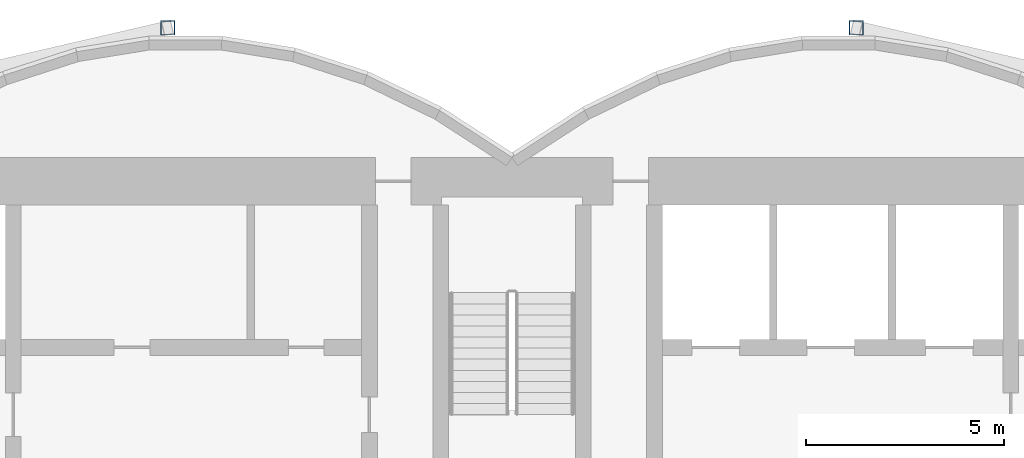
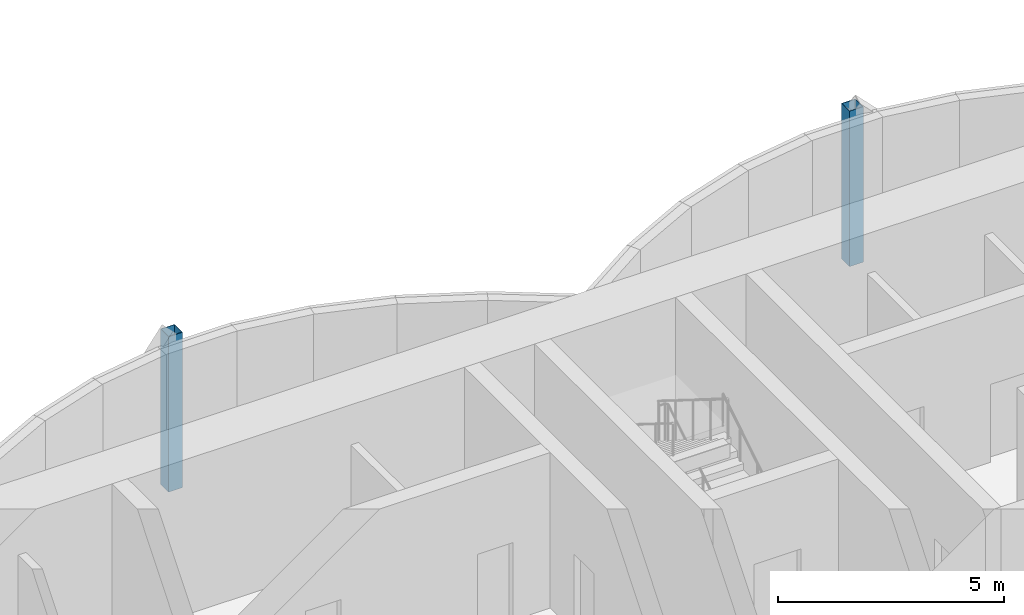
# One storey, part 3 of 19: 2 columns.
"""IFC4 building model written with IfcOpenShell, lengths in metres."""

import ifcopenshell
import ifcopenshell.guid

model = None  # the IFC model being written
_history = None  # IfcOwnerHistory: only IFC2X3 demands one
_inside = {}  # id of a spatial element -> (the spatial element, [elements in it])
_under = {}  # id of a project, library or spatial element -> (it, [spatial elements below it])
_declared = {}  # id of a project -> (the project, [libraries it declares])
_typed = {}  # id of a type object -> (the type object, [elements of that type])
_made_of = {}  # id of a material, layer set ... -> (it, [elements and type objects made of it])


def new_model(schema):
    """Start an empty IFC model of exactly this schema.

    Asked for "IFC4X3", IfcOpenShell would pick the latest addendum, in which some entities
    have other attributes; the version numbers below select the first issue.
    IFC2X3 requires an IfcOwnerHistory on every rooted entity: one is made here for all.
    """
    global model, _history
    if schema == "IFC4X3":
        model = ifcopenshell.file(schema_version=(4, 3, 0, 0))
    else:
        model = ifcopenshell.file(schema=schema)
    _inside.clear()
    _under.clear()
    _declared.clear()
    _typed.clear()
    _made_of.clear()
    _history = None
    if model.schema == "IFC2X3":
        org = make("IfcOrganization", Name="unknown")
        user = make(
            "IfcPersonAndOrganization",
            ThePerson=make("IfcPerson", FamilyName="unknown"),
            TheOrganization=org,
        )
        app = make(
            "IfcApplication",
            ApplicationDeveloper=org,
            Version="unknown",
            ApplicationFullName="unknown",
            ApplicationIdentifier="unknown",
        )
        _history = make(
            "IfcOwnerHistory",
            OwningUser=user,
            OwningApplication=app,
            ChangeAction="ADDED",
            CreationDate=0,
        )
    return model


def make(cls, **values):
    """One entity of the class cls with the attributes given. An attribute that is None is left unset."""
    return model.create_entity(
        cls, **{name: value for name, value in values.items() if value is not None}
    )


def rooted(cls, **values):
    """An entity with a GlobalId (a new one), such as an element, a storey or a relation."""
    return make(cls, GlobalId=ifcopenshell.guid.new(), OwnerHistory=_history, **values)


def si_unit(unit_type, name, prefix=None):
    """IfcSIUnit, for example si_unit("LENGTHUNIT", "METRE", prefix="MILLI")."""
    return make("IfcSIUnit", UnitType=unit_type, Prefix=prefix, Name=name)


def assignment(units):
    """IfcUnitAssignment: the units of a project."""
    return None if units is None else make("IfcUnitAssignment", Units=units)


def point(xyz):
    """IfcCartesianPoint."""
    return None if xyz is None else make("IfcCartesianPoint", Coordinates=xyz)


def direction(xyz):
    """IfcDirection."""
    return None if xyz is None else make("IfcDirection", DirectionRatios=xyz)


def frame(location, z_axis=None, x_axis=None):
    """IfcAxis2Placement3D, a coordinate frame: its origin and axes. An axis left out is left unset."""
    return make(
        "IfcAxis2Placement3D",
        Location=point(location),
        Axis=direction(z_axis),
        RefDirection=direction(x_axis),
    )


def frame_2d(location, x_axis=None):
    """IfcAxis2Placement2D, a coordinate frame in the plane: its origin and x axis."""
    return make(
        "IfcAxis2Placement2D", Location=point(location), RefDirection=direction(x_axis)
    )


def origin():
    """The frame at (0, 0, 0) with its axes left unset."""
    return frame((0.0, 0.0, 0.0))


def origin_2d():
    """The frame at (0, 0) in the plane with its x axis left unset."""
    return frame_2d((0.0, 0.0))


def place(relative_to, where):
    """IfcLocalPlacement: puts the frame where relative to a parent placement (None: the world)."""
    return make(
        "IfcLocalPlacement", PlacementRelTo=relative_to, RelativePlacement=where
    )


def context(
    kind, dimensions, precision=None, world=None, true_north=None, identifier=None
):
    """IfcGeometricRepresentationContext, for example the 3D "Model" context."""
    return make(
        "IfcGeometricRepresentationContext",
        ContextIdentifier=identifier,
        ContextType=kind,
        CoordinateSpaceDimension=dimensions,
        Precision=precision,
        WorldCoordinateSystem=world,
        TrueNorth=true_north,
    )


def subcontext(parent, identifier, kind, view, scale=None):
    """IfcGeometricRepresentationSubContext, for example "Body" below "Model"."""
    return make(
        "IfcGeometricRepresentationSubContext",
        ContextIdentifier=identifier,
        ContextType=kind,
        ParentContext=parent,
        TargetScale=scale,
        TargetView=view,
    )


def project(units=None, contexts=None):
    """IfcProject with its units and contexts."""
    return rooted(
        "IfcProject",
        Name="project",
        RepresentationContexts=contexts,
        UnitsInContext=assignment(units),
    )


def spatial(cls, under=None, at=None, **own):
    """A site, building, storey or space (cls), placed at a placement, below another one or the project."""
    s = rooted(cls, ObjectPlacement=at, **own)
    if under is not None:
        _under.setdefault(under.id(), (under, []))[1].append(s)
    return s


def profile(cls, at=None, kind="AREA", **sizes):
    """A parametric profile (cls). Its sizes go by their IFC names, for example OverallWidth=200.0."""
    return make(cls, ProfileType=kind, Position=at, **sizes)


def hollow_rectangle(**sizes):
    """IfcRectangleHollowProfileDef."""
    return profile("IfcRectangleHollowProfileDef", **sizes)


def extrude(swept, where, along, depth):
    """IfcExtrudedAreaSolid: the profile swept, set in the frame where, extruded along a direction by depth."""
    return make(
        "IfcExtrudedAreaSolid",
        SweptArea=swept,
        Position=where,
        ExtrudedDirection=direction(along),
        Depth=depth,
    )


def shape(context_of_items, identifier, shape_type, items):
    """IfcShapeRepresentation: the items that make up one representation, for example the "Body"."""
    return make(
        "IfcShapeRepresentation",
        ContextOfItems=context_of_items,
        RepresentationIdentifier=identifier,
        RepresentationType=shape_type,
        Items=items,
    )


def material(Name=None, Category=None):
    """IfcMaterial."""
    return make("IfcMaterial", Name=Name, Category=Category)


def material_profile(
    of_material, cross_section, Name=None, Category=None, Priority=None
):
    """IfcMaterialProfile: a cross section and its material."""
    return make(
        "IfcMaterialProfile",
        Name=Name,
        Material=of_material,
        Profile=cross_section,
        Priority=Priority,
        Category=Category,
    )


def profile_set(profiles, Name=None, composite=None):
    """IfcMaterialProfileSet."""
    return make(
        "IfcMaterialProfileSet",
        Name=Name,
        MaterialProfiles=profiles,
        CompositeProfile=composite,
    )


def made_of(thing, what):
    """Note that an element or type object is made of a material, layer set ...; save() writes the relation."""
    if what is not None:
        _made_of.setdefault(what.id(), (what, []))[1].append(thing)
    return thing


def type_object(cls, material=None, **own):
    """A type object (cls), such as IfcWallType, which elements share."""
    return made_of(rooted(cls, **own), material)


def element(
    cls,
    number,
    at=None,
    inside=None,
    cuts=None,
    type_object=None,
    material=None,
    context=None,
    identifier="Body",
    shape_type=None,
    held_by="IfcProductDefinitionShape",
    body=None,
    shapes=None,
    **own,
):
    """One element of the class cls, such as IfcWall. Its Tag is "e" and its number.

    at: its placement. inside: the storey or other place that contains it. cuts: it is an
    opening in that element (IfcRelVoidsElement). A single representation is given by context,
    identifier, shape_type and body (its items); several are given by shapes. held_by: the class
    of the entity that holds the representations. save() writes the other relations.
    """
    e = rooted(cls, Tag="e%d" % number, ObjectPlacement=at, **own)
    if body is not None:
        shapes = [shape(context, identifier, shape_type, body)]
    if shapes is not None:
        e.Representation = make(held_by, Representations=shapes)
    if inside is not None:
        _inside.setdefault(inside.id(), (inside, []))[1].append(e)
    if cuts is not None:
        rooted(
            "IfcRelVoidsElement", RelatingBuildingElement=cuts, RelatedOpeningElement=e
        )
    if type_object is not None:
        _typed.setdefault(type_object.id(), (type_object, []))[1].append(e)
    return made_of(e, material)


def aggregate(whole, parts):
    """IfcRelAggregates: a whole, such as a stair, and the parts it consists of."""
    return rooted("IfcRelAggregates", RelatingObject=whole, RelatedObjects=parts)


def save(model, path):
    """Write the relations noted so far, then the file.

    IfcRelAggregates (storeys below a building ...), IfcRelContainedInSpatialStructure (elements
    in a storey), IfcRelDefinesByType, IfcRelAssociatesMaterial and IfcRelDeclares: one each for
    every whole, place, type object, material and project.
    """
    for whole, parts in _under.values():
        aggregate(whole, parts)
    for where, things in _inside.values():
        rooted(
            "IfcRelContainedInSpatialStructure",
            RelatedElements=things,
            RelatingStructure=where,
        )
    for kind, things in _typed.values():
        rooted("IfcRelDefinesByType", RelatedObjects=things, RelatingType=kind)
    for what, things in _made_of.values():
        rooted("IfcRelAssociatesMaterial", RelatedObjects=things, RelatingMaterial=what)
    for by, libraries in _declared.values():
        rooted("IfcRelDeclares", RelatingContext=by, RelatedDefinitions=libraries)
    model.write(path)


model = new_model("IFC4")

# Units and contexts
model_context = context("Model", 3, precision=1e-05, world=origin(), true_north=direction((0.0, 1.0)))
body_context = subcontext(model_context, "Body", "Model", "MODEL_VIEW")
ifc_project = project(units=[si_unit("LENGTHUNIT", "METRE"), si_unit("AREAUNIT", "SQUARE_METRE"), si_unit("VOLUMEUNIT", "CUBIC_METRE"), si_unit("PLANEANGLEUNIT", "RADIAN"), si_unit("MASSUNIT", "GRAM", prefix="KILO")], contexts=[model_context])

# Site, building, storey
site_placement = place(None, origin())
site = spatial("IfcSite", under=ifc_project, at=site_placement, CompositionType="ELEMENT")
building_placement = place(site_placement, origin())
building = spatial("IfcBuilding", under=site, at=building_placement, Name="Bicima Exchange Tower", CompositionType="ELEMENT")
storey_placement = place(building_placement, frame((0.0, 0.0, 275.0)))
storey = spatial("IfcBuildingStorey", under=building, at=storey_placement, Name="L62", CompositionType="ELEMENT", Elevation=275.0)

# Columns
ifc_material = material(Name="Steel ASTM A572 Gr 50", Category="steel")
ifc_material_profile = material_profile(ifc_material, hollow_rectangle(XDim=0.355712890625, YDim=0.355712890625, WallThickness=0.01171875, at=origin_2d()))
ifc_profile_set = profile_set([ifc_material_profile], Name="Steel ASTM A572 Gr 50")
column_type = type_object("IfcColumnType", Name="Rear pilaster HSS14x14x1/2", PredefinedType="COLUMN", material=ifc_profile_set)
for number, where, z_axis, x_axis, name in (
    (1, (-8.699951171875, 3.26904296875, 0.0), (0.0, 0.0, 1.0), (1.0, 0.0, 0.0), "Rear pilaster rexo-8.7r"),
    (2, (8.699951171875, 3.26904296875, 0.0), (0.0, 0.0, 1.0), (1.0, 0.0, 0.0), "Rear pilaster rexo+8.7r"),
):
    element("IfcColumn", number, at=place(storey_placement, frame(where, z_axis=z_axis, x_axis=x_axis)), inside=storey, type_object=column_type, Name=name, PredefinedType="COLUMN", context=body_context, shape_type="SweptSolid", body=[
        extrude(hollow_rectangle(XDim=0.355712890625, YDim=0.355712890625, WallThickness=0.01171875, at=origin_2d()), origin(), (0.0, 0.0, 1.0), 4.199951171875),
    ])

save(model, "model.ifc")
